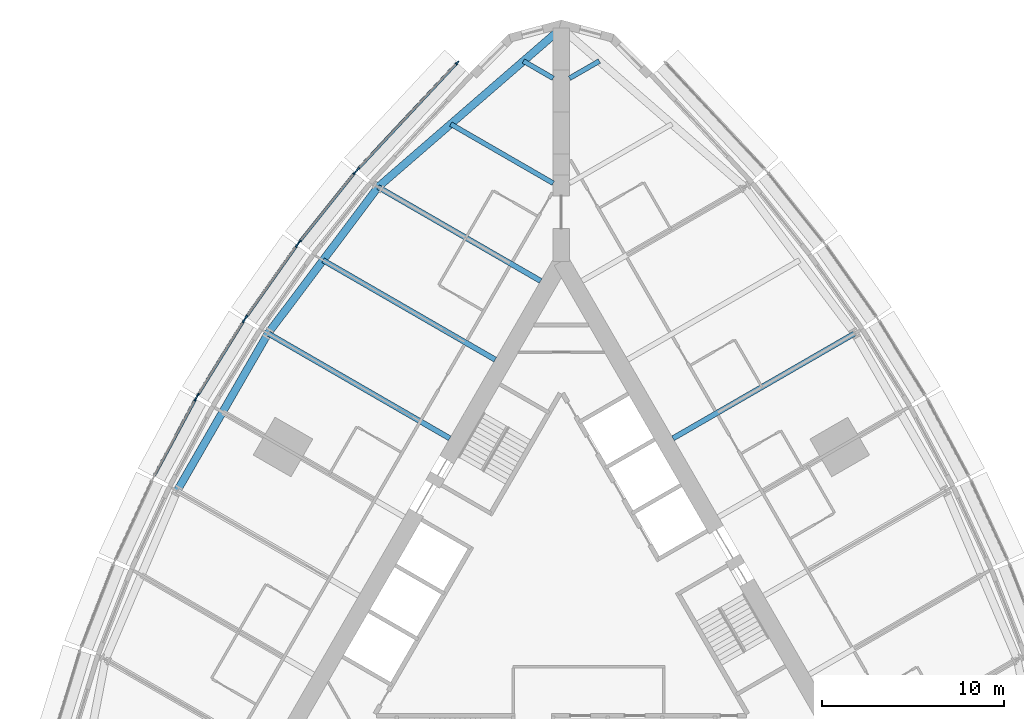
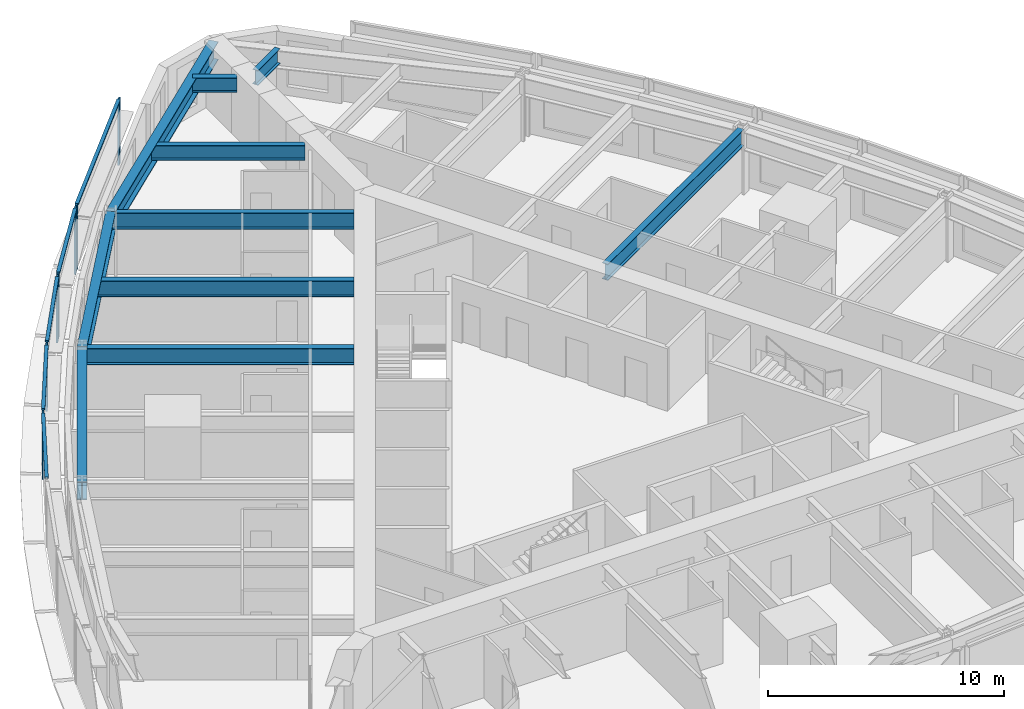
# One storey, part 4 of 14: 14 members, 10 beams, 5 elements without a shape of their own.
"""IFC4 building model written with IfcOpenShell, lengths in metres."""

from ifc_helpers import new_model, si_unit, direction, frame, origin, origin_2d, place, context, subcontext, project, spatial, rectangle, i_section, extrude, material, material_profile, profile_set, type_object, element, aggregate, save


model = new_model("IFC4")

# Units and contexts
model_context = context("Model", 3, precision=1e-05, world=origin(), true_north=direction((0.0, 1.0)))
body_context = subcontext(model_context, "Body", "Model", "MODEL_VIEW")
ifc_project = project(units=[si_unit("LENGTHUNIT", "METRE"), si_unit("AREAUNIT", "SQUARE_METRE"), si_unit("VOLUMEUNIT", "CUBIC_METRE"), si_unit("PLANEANGLEUNIT", "RADIAN"), si_unit("MASSUNIT", "GRAM", prefix="KILO")], contexts=[model_context])

# Site, building, storey
site_placement = place(None, origin())
site = spatial("IfcSite", under=ifc_project, at=site_placement, CompositionType="ELEMENT")
building_placement = place(site_placement, origin())
building = spatial("IfcBuilding", under=site, at=building_placement, Name="Trikona Tower", CompositionType="ELEMENT")
storey_placement = place(building_placement, frame((0.0, 0.0, 79.5)))
storey = spatial("IfcBuildingStorey", under=building, at=storey_placement, Name="L20", CompositionType="ELEMENT", Elevation=79.5)

# Curtain wall, members
ifc_material_1 = material(Name="Aluminium curtain wall system", Category="aluminium")
curtain_wall_type = type_object("IfcCurtainWallType", Name="Curtain wall DS1", PredefinedType="NOTDEFINED", material=ifc_material_1)
curtain_wall_1_placement = place(storey_placement, origin())
curtain_wall_1 = element("IfcCurtainWall", 1, at=curtain_wall_1_placement, inside=storey, type_object=curtain_wall_type, Name="Curtain wall DS1 L20", PredefinedType="NOTDEFINED")
ifc_material_2 = material(Name="Aluminium mullion, pale anodised", Category="aluminium")
ifc_material_profile_1 = material_profile(ifc_material_2, rectangle(XDim=0.080078125, YDim=0.219970703125, at=origin_2d()), Name="MUL-DS1")
ifc_profile_set_1 = profile_set([ifc_material_profile_1], Name="Aluminium mullion, pale anodised")
member_type_1 = type_object("IfcMemberType", Name="Mullion DS1 80x220", PredefinedType="MULLION", material=ifc_profile_set_1)
member_1_placement = place(storey_placement, frame((-5.72607421875, 29.98583984375, 0.0), z_axis=(0.0, 0.0, 1.0), x_axis=(0.731076639405, -0.682295351967, 0.0)))
member_1 = element("IfcMember", 2, at=member_1_placement, type_object=member_type_1, Name="CW-DS1 mullion 1", PredefinedType="MULLION", context=body_context, shape_type="SweptSolid", body=[
    extrude(rectangle(XDim=0.080078125, YDim=0.219970703125, at=origin_2d()), origin(), (0.0, 0.0, 1.0), 3.39990234375),
])
member_2_placement = place(storey_placement, frame((-11.192138671875, 24.129150390625, 0.0), z_axis=(0.0, 0.0, 1.0), x_axis=(0.731076639405, -0.682295351967, 0.0)))
member_2 = element("IfcMember", 3, at=member_2_placement, type_object=member_type_1, Name="CW-DS1 mullion 2", PredefinedType="MULLION", context=body_context, shape_type="SweptSolid", body=[
    extrude(rectangle(XDim=0.080078125, YDim=0.219970703125, at=origin_2d()), origin(), (0.0, 0.0, 1.0), 3.39990234375),
])

curtain_wall_2_placement = place(storey_placement, origin())
curtain_wall_2 = element("IfcCurtainWall", 4, at=curtain_wall_2_placement, inside=storey, type_object=curtain_wall_type, Name="Curtain wall DS1 L20", PredefinedType="NOTDEFINED")
member_3_placement = place(storey_placement, frame((-11.36767578125, 23.926025390625, 0.0), z_axis=(0.0, 0.0, 1.0), x_axis=(0.780937959679, -0.624608599951, 0.0)))
member_3 = element("IfcMember", 5, at=member_3_placement, type_object=member_type_1, Name="CW-DS1 mullion 1", PredefinedType="MULLION", context=body_context, shape_type="SweptSolid", body=[
    extrude(rectangle(XDim=0.080078125, YDim=0.219970703125, at=origin_2d()), origin(), (0.0, 0.0, 1.0), 3.39990234375),
])
member_4_placement = place(storey_placement, frame((-14.40185546875, 20.13232421875, 0.0), z_axis=(0.0, 0.0, 1.0), x_axis=(0.780937959679, -0.624608599951, 0.0)))
member_4 = element("IfcMember", 6, at=member_4_placement, type_object=member_type_1, Name="CW-DS1 mullion 2", PredefinedType="MULLION", context=body_context, shape_type="SweptSolid", body=[
    extrude(rectangle(XDim=0.080078125, YDim=0.219970703125, at=origin_2d()), origin(), (0.0, 0.0, 1.0), 3.39990234375),
])

curtain_wall_3_placement = place(storey_placement, origin())
curtain_wall_3 = element("IfcCurtainWall", 7, at=curtain_wall_3_placement, inside=storey, type_object=curtain_wall_type, Name="Curtain wall DS1 L20", PredefinedType="NOTDEFINED")
member_5_placement = place(storey_placement, frame((-14.554443359375, 19.929443359375, 0.0), z_axis=(0.0, 0.0, 1.0), x_axis=(0.816985393055, -0.576658362928, 0.0)))
member_5 = element("IfcMember", 8, at=member_5_placement, type_object=member_type_1, Name="CW-DS1 mullion 1", PredefinedType="MULLION", context=body_context, shape_type="SweptSolid", body=[
    extrude(rectangle(XDim=0.080078125, YDim=0.219970703125, at=origin_2d()), origin(), (0.0, 0.0, 1.0), 3.39990234375),
])
member_6_placement = place(storey_placement, frame((-17.33447265625, 15.990966796875, 0.0), z_axis=(0.0, 0.0, 1.0), x_axis=(0.816985393055, -0.576658362928, 0.0)))
member_6 = element("IfcMember", 9, at=member_6_placement, type_object=member_type_1, Name="CW-DS1 mullion 2", PredefinedType="MULLION", context=body_context, shape_type="SweptSolid", body=[
    extrude(rectangle(XDim=0.080078125, YDim=0.219970703125, at=origin_2d()), origin(), (0.0, 0.0, 1.0), 3.39990234375),
])

curtain_wall_4_placement = place(storey_placement, origin())
curtain_wall_4 = element("IfcCurtainWall", 10, at=curtain_wall_4_placement, inside=storey, type_object=curtain_wall_type, Name="Curtain wall DS1 L20", PredefinedType="NOTDEFINED")
member_7_placement = place(storey_placement, frame((-17.474853515625, 15.77880859375, 0.0), z_axis=(0.0, 0.0, 1.0), x_axis=(0.850410468941, -0.526119790842, 0.0)))
member_7 = element("IfcMember", 11, at=member_7_placement, type_object=member_type_1, Name="CW-DS1 mullion 1", PredefinedType="MULLION", context=body_context, shape_type="SweptSolid", body=[
    extrude(rectangle(XDim=0.080078125, YDim=0.219970703125, at=origin_2d()), origin(), (0.0, 0.0, 1.0), 3.39990234375),
])
member_8_placement = place(storey_placement, frame((-20.00146484375, 11.69482421875, 0.0), z_axis=(0.0, 0.0, 1.0), x_axis=(0.850410468941, -0.526119790842, 0.0)))
member_8 = element("IfcMember", 12, at=member_8_placement, type_object=member_type_1, Name="CW-DS1 mullion 2", PredefinedType="MULLION", context=body_context, shape_type="SweptSolid", body=[
    extrude(rectangle(XDim=0.080078125, YDim=0.219970703125, at=origin_2d()), origin(), (0.0, 0.0, 1.0), 3.39990234375),
])

# Curtain wall, member
curtain_wall_5_placement = place(storey_placement, origin())
curtain_wall_5 = element("IfcCurtainWall", 13, at=curtain_wall_5_placement, inside=storey, type_object=curtain_wall_type, Name="Curtain wall DS1 L20", PredefinedType="NOTDEFINED")
member_9_placement = place(storey_placement, frame((-20.128662109375, 11.474365234375, 0.0), z_axis=(0.0, 0.0, 1.0), x_axis=(0.880843080975, -0.473408350896, 0.0)))
member_9 = element("IfcMember", 14, at=member_9_placement, type_object=member_type_1, Name="CW-DS1 mullion 1", PredefinedType="MULLION", context=body_context, shape_type="SweptSolid", body=[
    extrude(rectangle(XDim=0.080078125, YDim=0.219970703125, at=origin_2d()), origin(), (0.0, 0.0, 1.0), 3.39990234375),
])

# Beams
ifc_material_3 = material(Name="Steel ASTM A992 Grade 50", Category="steel")
ifc_material_profile_2 = material_profile(ifc_material_3, i_section(OverallWidth=0.2666015625, OverallDepth=0.76953125, WebThickness=0.015625, FlangeThickness=0.025390625, at=origin_2d()), Name="W30X132")
ifc_profile_set_2 = profile_set([ifc_material_profile_2], Name="Steel ASTM A992 Grade 50")
beam_type_1 = type_object("IfcBeamType", Name="Steel beam W30x132 (wedge)", PredefinedType="BEAM", material=ifc_profile_set_2)
for number, where, z_axis, x_axis, name in (
    (15, (0.449951171875, 29.127197265625, 2.85009765625), (0.866009237431, 0.5000279999, 0.0), (-0.5000279999, 0.866009237431, 0.0), "Floor beam L21 F2 u25"),
    (16, (-0.449951171875, 29.127197265625, 2.85009765625), (-0.866009237431, 0.5000279999, 0.0), (-0.5000279999, -0.866009237431, 0.0), "Floor beam L21 F3 u-25"),
):
    element("IfcBeam", number, at=place(storey_placement, frame(where, z_axis=z_axis, x_axis=x_axis)), inside=storey, type_object=beam_type_1, Name=name, PredefinedType="BEAM", context=body_context, shape_type="SweptSolid", body=[
        extrude(i_section(OverallWidth=0.2666015625, OverallDepth=0.76953125, WebThickness=0.015625, FlangeThickness=0.025390625, at=origin_2d()), origin(), (0.0, 0.0, 1.0), 1.890625),
    ])
beam_1_placement = place(storey_placement, frame((-0.449951171875, 23.353759765625, 2.85009765625), z_axis=(-0.866022504693, 0.50000502134, 0.0), x_axis=(-0.50000502134, -0.866022504693, 0.0)))
element("IfcBeam", 17, at=beam_1_placement, inside=storey, type_object=beam_type_1, Name="Floor beam L21 F3 u-20", PredefinedType="BEAM", context=body_context, shape_type="SweptSolid", body=[
    extrude(i_section(OverallWidth=0.2666015625, OverallDepth=0.76953125, WebThickness=0.015625, FlangeThickness=0.025390625, at=origin_2d()), origin(), (0.0, 0.0, 1.0), 6.5068359375),
])
ifc_material_4 = material(Name="Steel ASTM A992 Grade 50", Category="steel")
ifc_material_profile_3 = material_profile(ifc_material_4, i_section(OverallWidth=0.2919921875, OverallDepth=0.845703125, WebThickness=0.015380859375, FlangeThickness=0.0244140625, at=origin_2d()), Name="W33X141")
ifc_profile_set_3 = profile_set([ifc_material_profile_3], Name="Steel ASTM A992 Grade 50")
beam_type_2 = type_object("IfcBeamType", Name="Steel beam W33x141 (radial typ)", PredefinedType="BEAM", material=ifc_profile_set_3)
beam_2_placement = place(storey_placement, frame((6.1396484375, 9.318359375, 2.81201171875), z_axis=(0.866029923217, 0.499992172032, 0.0), x_axis=(-0.499992172032, 0.866029923217, 0.0)))
element("IfcBeam", 18, at=beam_2_placement, inside=storey, type_object=beam_type_2, Name="Floor beam L21 F2 u5", PredefinedType="BEAM", context=body_context, shape_type="SweptSolid", body=[
    extrude(i_section(OverallWidth=0.2919921875, OverallDepth=0.845703125, WebThickness=0.015380859375, FlangeThickness=0.0244140625, at=origin_2d()), origin(), (0.0, 0.0, 1.0), 11.544189453125),
])
beam_3_placement = place(storey_placement, frame((-1.1396484375, 17.978515625, 2.81201171875), z_axis=(-0.866030471684, 0.499991222037, 0.0), x_axis=(-0.499991222037, -0.866030471684, 0.0)))
element("IfcBeam", 19, at=beam_3_placement, inside=storey, type_object=beam_type_2, Name="Floor beam L21 F3 u-15", PredefinedType="BEAM", context=body_context, shape_type="SweptSolid", body=[
    extrude(i_section(OverallWidth=0.2919921875, OverallDepth=0.845703125, WebThickness=0.015380859375, FlangeThickness=0.0244140625, at=origin_2d()), origin(), (0.0, 0.0, 1.0), 10.326904296875),
])
beam_4_placement = place(storey_placement, frame((-3.6396484375, 13.6484375, 2.81201171875), z_axis=(-0.866025348605, 0.500000095573, 0.0), x_axis=(-0.500000095573, -0.866025348605, 0.0)))
element("IfcBeam", 20, at=beam_4_placement, inside=storey, type_object=beam_type_2, Name="Floor beam L21 F3 u-10", PredefinedType="BEAM", context=body_context, shape_type="SweptSolid", body=[
    extrude(i_section(OverallWidth=0.2919921875, OverallDepth=0.845703125, WebThickness=0.015380859375, FlangeThickness=0.0244140625, at=origin_2d()), origin(), (0.0, 0.0, 1.0), 10.935546875),
])
beam_5_placement = place(storey_placement, frame((-6.1396484375, 9.318359375, 2.81201171875), z_axis=(-0.866029923217, 0.499992172032, 0.0), x_axis=(-0.499992172032, -0.866029923217, 0.0)))
element("IfcBeam", 21, at=beam_5_placement, inside=storey, type_object=beam_type_2, Name="Floor beam L21 F3 u-5", PredefinedType="BEAM", context=body_context, shape_type="SweptSolid", body=[
    extrude(i_section(OverallWidth=0.2919921875, OverallDepth=0.845703125, WebThickness=0.015380859375, FlangeThickness=0.0244140625, at=origin_2d()), origin(), (0.0, 0.0, 1.0), 11.544189453125),
])
ifc_material_5 = material(Name="Steel ASTM A992 Grade 50", Category="steel")
ifc_material_profile_4 = material_profile(ifc_material_5, i_section(OverallWidth=0.424072265625, OverallDepth=0.947509765625, WebThickness=0.02392578125, FlangeThickness=0.042724609375, at=origin_2d()), Name="W36X302")
ifc_profile_set_4 = profile_set([ifc_material_profile_4], Name="Steel ASTM A992 Grade 50")
beam_type_3 = type_object("IfcBeamType", Name="Steel beam W36x302 (spandrel)", PredefinedType="SPANDREL", material=ifc_profile_set_4)
beam_6_placement = place(storey_placement, frame((0.0, 31.881591796875, 2.76123046875), z_axis=(-0.755646822726, -0.654979296851, 0.0), x_axis=(0.654979296851, -0.755646822726, 0.0)))
element("IfcBeam", 22, at=beam_6_placement, inside=storey, type_object=beam_type_3, Name="Spandrel beam L21 F3-1", PredefinedType="SPANDREL", context=body_context, shape_type="SweptSolid", body=[
    extrude(i_section(OverallWidth=0.424072265625, OverallDepth=0.947509765625, WebThickness=0.02392578125, FlangeThickness=0.042724609375, at=origin_2d()), origin(), (0.0, 0.0, 1.0), 13.343505859375),
])
beam_7_placement = place(storey_placement, frame((-10.0830078125, 23.141845703125, 2.76123046875), z_axis=(-0.600988344191, -0.799257787042, 0.0), x_axis=(0.799257787042, -0.600988344191, 0.0)))
element("IfcBeam", 23, at=beam_7_placement, inside=storey, type_object=beam_type_3, Name="Spandrel beam L21 F3-2", PredefinedType="SPANDREL", context=body_context, shape_type="SweptSolid", body=[
    extrude(i_section(OverallWidth=0.424072265625, OverallDepth=0.947509765625, WebThickness=0.02392578125, FlangeThickness=0.042724609375, at=origin_2d()), origin(), (0.0, 0.0, 1.0), 10.07373046875),
])
beam_8_placement = place(storey_placement, frame((-16.13720703125, 15.09033203125, 2.76123046875), z_axis=(-0.500004234368, -0.866022959057, 0.0), x_axis=(0.866022959057, -0.500004234368, 0.0)))
element("IfcBeam", 24, at=beam_8_placement, inside=storey, type_object=beam_type_3, Name="Spandrel beam L21 F3-3", PredefinedType="SPANDREL", context=body_context, shape_type="SweptSolid", body=[
    extrude(i_section(OverallWidth=0.424072265625, OverallDepth=0.947509765625, WebThickness=0.02392578125, FlangeThickness=0.042724609375, at=origin_2d()), origin(), (0.0, 0.0, 1.0), 10.0),
])

# Member
ifc_material_6 = material(Name="Aluminium transom, pale anodised", Category="aluminium")
ifc_material_profile_5 = material_profile(ifc_material_6, rectangle(XDim=0.159912109375, YDim=0.080078125, at=origin_2d()), Name="TRN-DS1")
ifc_profile_set_5 = profile_set([ifc_material_profile_5], Name="Aluminium transom, pale anodised")
member_type_2 = type_object("IfcMemberType", Name="Transom DS1 80x160", PredefinedType="USERDEFINED", material=ifc_profile_set_5)
member_10_placement = place(storey_placement, frame((-5.75341796875, 29.95654296875, 3.360107421875), z_axis=(-0.682290830921, -0.731080858758, 0.0), x_axis=(0.731080858758, -0.682290830921, 0.0)))
member_10 = element("IfcMember", 25, at=member_10_placement, type_object=member_type_2, Name="CW-DS1 transom 1.1", ObjectType="TRANSOM", PredefinedType="USERDEFINED", context=body_context, shape_type="SweptSolid", body=[
    extrude(rectangle(XDim=0.159912109375, YDim=0.080078125, at=origin_2d()), origin(), (0.0, 0.0, 1.0), 7.93115234375),
])

aggregate(curtain_wall_1, [member_1, member_2, member_10])

member_11_placement = place(storey_placement, frame((-11.392822265625, 23.894775390625, 3.360107421875), z_axis=(-0.624589103832, -0.780953552636, 0.0), x_axis=(0.780953552636, -0.624589103832, 0.0)))
member_11 = element("IfcMember", 26, at=member_11_placement, type_object=member_type_2, Name="CW-DS1 transom 1.1", ObjectType="TRANSOM", PredefinedType="USERDEFINED", context=body_context, shape_type="SweptSolid", body=[
    extrude(rectangle(XDim=0.159912109375, YDim=0.080078125, at=origin_2d()), origin(), (0.0, 0.0, 1.0), 4.77783203125),
])

aggregate(curtain_wall_2, [member_3, member_4, member_11])

member_12_placement = place(storey_placement, frame((-14.57763671875, 19.896728515625, 3.360107421875), z_axis=(-0.57664478015, -0.816994980111, 0.0), x_axis=(0.816994980111, -0.57664478015, 0.0)))
member_12 = element("IfcMember", 27, at=member_12_placement, type_object=member_type_2, Name="CW-DS1 transom 1.1", ObjectType="TRANSOM", PredefinedType="USERDEFINED", context=body_context, shape_type="SweptSolid", body=[
    extrude(rectangle(XDim=0.159912109375, YDim=0.080078125, at=origin_2d()), origin(), (0.0, 0.0, 1.0), 4.740478515625),
])

aggregate(curtain_wall_3, [member_5, member_6, member_12])

member_13_placement = place(storey_placement, frame((-17.495849609375, 15.744873046875, 3.360107421875), z_axis=(-0.526080502257, -0.850434774186, 0.0), x_axis=(0.850434774186, -0.526080502257, 0.0)))
member_13 = element("IfcMember", 28, at=member_13_placement, type_object=member_type_2, Name="CW-DS1 transom 1.1", ObjectType="TRANSOM", PredefinedType="USERDEFINED", context=body_context, shape_type="SweptSolid", body=[
    extrude(rectangle(XDim=0.159912109375, YDim=0.080078125, at=origin_2d()), origin(), (0.0, 0.0, 1.0), 4.722412109375),
])

aggregate(curtain_wall_4, [member_7, member_8, member_13])

member_14_placement = place(storey_placement, frame((-20.147705078125, 11.43896484375, 3.360107421875), z_axis=(-0.473427569755, -0.880832751546, 0.0), x_axis=(0.880832751546, -0.473427569755, 0.0)))
member_14 = element("IfcMember", 29, at=member_14_placement, type_object=member_type_2, Name="CW-DS1 transom 1.1", ObjectType="TRANSOM", PredefinedType="USERDEFINED", context=body_context, shape_type="SweptSolid", body=[
    extrude(rectangle(XDim=0.159912109375, YDim=0.080078125, at=origin_2d()), origin(), (0.0, 0.0, 1.0), 4.72216796875),
])

aggregate(curtain_wall_5, [member_9, member_14])

save(model, "model.ifc")
